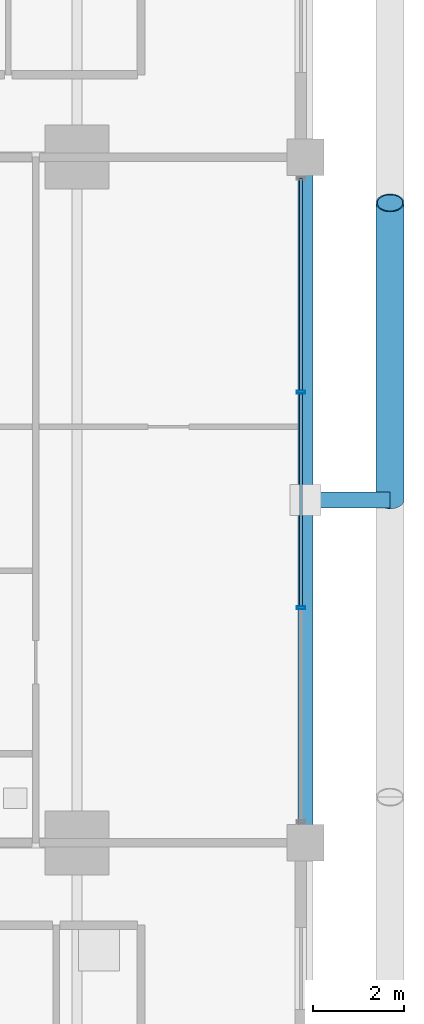
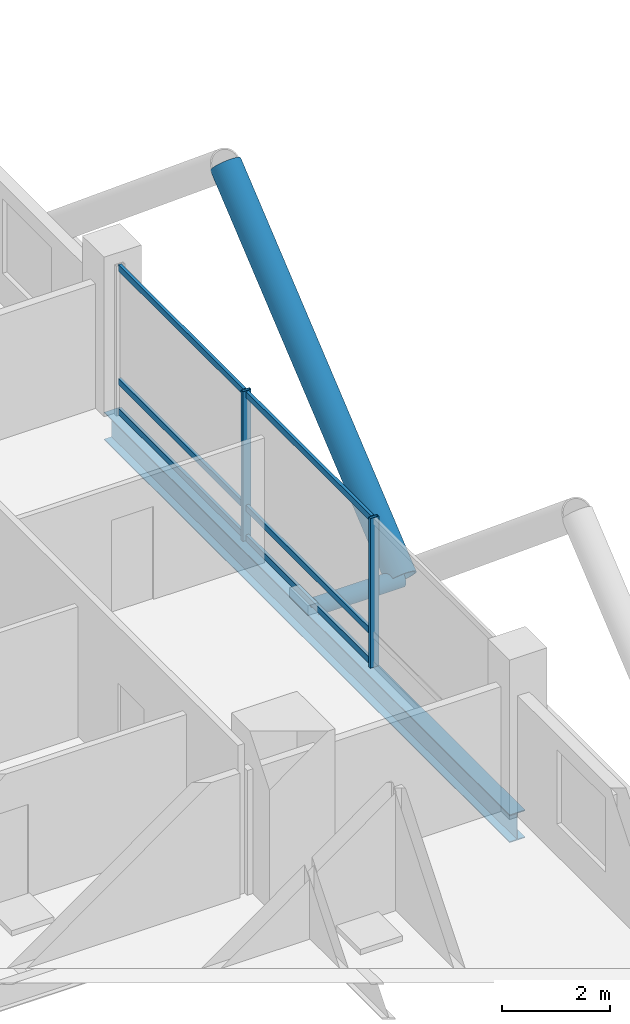
# One storey, part 12 of 28: 10 members, 1 beam, 1 element without a shape of its own.
"""IFC4 building model written with IfcOpenShell, lengths in metres."""

from ifc_helpers import new_model, si_unit, direction, frame, origin, origin_2d, place, context, subcontext, project, spatial, hollow_rectangle, hollow_circle, i_section, extrude, material, layer, layer_set, material_profile, profile_set, type_object, element, aggregate, save


model = new_model("IFC4")

# Units and contexts
model_context = context("Model", 3, precision=1e-05, world=origin(), true_north=direction((0.0, 1.0)))
body_context = subcontext(model_context, "Body", "Model", "MODEL_VIEW")
ifc_project = project(units=[si_unit("LENGTHUNIT", "METRE"), si_unit("AREAUNIT", "SQUARE_METRE"), si_unit("VOLUMEUNIT", "CUBIC_METRE"), si_unit("PLANEANGLEUNIT", "RADIAN"), si_unit("MASSUNIT", "GRAM", prefix="KILO")], contexts=[model_context])

# Site, building, storey
site_placement = place(None, origin())
site = spatial("IfcSite", under=ifc_project, at=site_placement, CompositionType="ELEMENT")
building_placement = place(site_placement, origin())
building = spatial("IfcBuilding", under=site, at=building_placement, Name="Barlavira Tower and Art Museum", CompositionType="ELEMENT")
storey_placement = place(building_placement, frame((0.0, 0.0, 39.60009765625)))
storey = spatial("IfcBuildingStorey", under=building, at=storey_placement, Name="L08", CompositionType="ELEMENT", Elevation=39.60009765625)

# Curtain wall, members
ifc_material_1 = material(Name="Low-iron coastal laminated glass", Category="glass")
ifc_layer = layer(ifc_material_1, 0.179931640625, Name="Low-iron coastal laminated glass")
ifc_layer_set = layer_set([ifc_layer], Name="Low-iron coastal laminated glass")
curtain_wall_type = type_object("IfcCurtainWallType", Name="Pale-Metal Unitised Curtain Wall Zone 1", PredefinedType="NOTDEFINED", material=ifc_layer_set)
curtain_wall_placement = place(storey_placement, origin())
curtain_wall = element("IfcCurtainWall", 1, at=curtain_wall_placement, inside=storey, type_object=curtain_wall_type, Name="L08 Curtain Wall CW1-L08-E-B3", PredefinedType="NOTDEFINED")
ifc_material_2 = material(Name="Pale anodised aluminium", Category="aluminium")
ifc_material_profile_1 = material_profile(ifc_material_2, hollow_rectangle(XDim=0.06494140625, YDim=0.179931640625, WallThickness=0.00390625, at=origin_2d()), Name="ALU-MULL 65x180x4")
ifc_profile_set_1 = profile_set([ifc_material_profile_1], Name="Pale anodised aluminium")
member_type_1 = type_object("IfcMemberType", Name="Curtain Wall Pale-Metal Mullion 65x180", PredefinedType="MULLION", material=ifc_profile_set_1)
member_1_placement = place(storey_placement, frame((21.89990234375, -2.360107421875, 0.0), z_axis=(0.0, 0.0, 1.0), x_axis=(0.0, 1.0, 0.0)))
member_1 = element("IfcMember", 2, at=member_1_placement, type_object=member_type_1, Name="CW1-L08-E-B3 Mullion 1", PredefinedType="MULLION", context=body_context, shape_type="SweptSolid", body=[
    extrude(hollow_rectangle(XDim=0.06494140625, YDim=0.179931640625, WallThickness=0.00390625, at=origin_2d()), origin(), (0.0, 0.0, 1.0), 3.3798828125),
])
member_2_placement = place(storey_placement, frame((21.89990234375, 2.360107421875, 0.0), z_axis=(0.0, 0.0, 1.0), x_axis=(0.0, 1.0, 0.0)))
member_2 = element("IfcMember", 3, at=member_2_placement, type_object=member_type_1, Name="CW1-L08-E-B3 Mullion 2", PredefinedType="MULLION", context=body_context, shape_type="SweptSolid", body=[
    extrude(hollow_rectangle(XDim=0.06494140625, YDim=0.179931640625, WallThickness=0.00390625, at=origin_2d()), origin(), (0.0, 0.0, 1.0), 3.3798828125),
])
ifc_material_profile_2 = material_profile(ifc_material_2, hollow_rectangle(XDim=0.06494140625, YDim=0.139892578125, WallThickness=0.00390625, at=origin_2d()), Name="ALU-TRAN 65x140x4")
ifc_profile_set_2 = profile_set([ifc_material_profile_2], Name="Pale anodised aluminium")
member_type_2 = type_object("IfcMemberType", Name="Curtain Wall Pale-Metal Transom 65x140", PredefinedType="USERDEFINED", material=ifc_profile_set_2)
member_3_placement = place(storey_placement, frame((21.89990234375, -2.31494140625, 0.06982421875), z_axis=(0.0, 1.0, 0.0), x_axis=(-1.0, 0.0, 0.0)))
member_3 = element("IfcMember", 4, at=member_3_placement, type_object=member_type_2, Name="CW1-L08-E-B3 Transom 1.1", ObjectType="TRANSOM", PredefinedType="USERDEFINED", context=body_context, shape_type="SweptSolid", body=[
    extrude(hollow_rectangle(XDim=0.06494140625, YDim=0.139892578125, WallThickness=0.00390625, at=origin_2d()), origin(), (0.0, 0.0, 1.0), 4.6298828125),
])
member_4_placement = place(storey_placement, frame((21.89990234375, -2.31494140625, 0.743896484375), z_axis=(0.0, 1.0, 0.0), x_axis=(-1.0, 0.0, 0.0)))
member_4 = element("IfcMember", 5, at=member_4_placement, type_object=member_type_2, Name="CW1-L08-E-B3 Transom 1.2", ObjectType="TRANSOM", PredefinedType="USERDEFINED", context=body_context, shape_type="SweptSolid", body=[
    extrude(hollow_rectangle(XDim=0.06494140625, YDim=0.139892578125, WallThickness=0.00390625, at=origin_2d()), origin(), (0.0, 0.0, 1.0), 4.6298828125),
])
member_5_placement = place(storey_placement, frame((21.89990234375, -2.31494140625, 3.309814453125), z_axis=(0.0, 1.0, 0.0), x_axis=(-1.0, 0.0, 0.0)))
member_5 = element("IfcMember", 6, at=member_5_placement, type_object=member_type_2, Name="CW1-L08-E-B3 Transom 1.3", ObjectType="TRANSOM", PredefinedType="USERDEFINED", context=body_context, shape_type="SweptSolid", body=[
    extrude(hollow_rectangle(XDim=0.06494140625, YDim=0.139892578125, WallThickness=0.00390625, at=origin_2d()), origin(), (0.0, 0.0, 1.0), 4.6298828125),
])
member_6_placement = place(storey_placement, frame((21.89990234375, 2.405029296875, 0.06982421875), z_axis=(0.0, 1.0, 0.0), x_axis=(-1.0, 0.0, 0.0)))
member_6 = element("IfcMember", 7, at=member_6_placement, type_object=member_type_2, Name="CW1-L08-E-B3 Transom 2.1", ObjectType="TRANSOM", PredefinedType="USERDEFINED", context=body_context, shape_type="SweptSolid", body=[
    extrude(hollow_rectangle(XDim=0.06494140625, YDim=0.139892578125, WallThickness=0.00390625, at=origin_2d()), origin(), (0.0, 0.0, 1.0), 4.6298828125),
])
member_7_placement = place(storey_placement, frame((21.89990234375, 2.405029296875, 0.743896484375), z_axis=(0.0, 1.0, 0.0), x_axis=(-1.0, 0.0, 0.0)))
member_7 = element("IfcMember", 8, at=member_7_placement, type_object=member_type_2, Name="CW1-L08-E-B3 Transom 2.2", ObjectType="TRANSOM", PredefinedType="USERDEFINED", context=body_context, shape_type="SweptSolid", body=[
    extrude(hollow_rectangle(XDim=0.06494140625, YDim=0.139892578125, WallThickness=0.00390625, at=origin_2d()), origin(), (0.0, 0.0, 1.0), 4.6298828125),
])
member_8_placement = place(storey_placement, frame((21.89990234375, 2.405029296875, 3.309814453125), z_axis=(0.0, 1.0, 0.0), x_axis=(-1.0, 0.0, 0.0)))
member_8 = element("IfcMember", 9, at=member_8_placement, type_object=member_type_2, Name="CW1-L08-E-B3 Transom 2.3", ObjectType="TRANSOM", PredefinedType="USERDEFINED", context=body_context, shape_type="SweptSolid", body=[
    extrude(hollow_rectangle(XDim=0.06494140625, YDim=0.139892578125, WallThickness=0.00390625, at=origin_2d()), origin(), (0.0, 0.0, 1.0), 4.6298828125),
])
aggregate(curtain_wall, [member_1, member_2, member_3, member_4, member_5, member_6, member_7, member_8])

# Members
ifc_material_3 = material(Name="Steel S355", Category="steel")
ifc_material_profile_3 = material_profile(ifc_material_3, hollow_circle(Radius=0.304931640625, WallThickness=0.028076171875, at=origin_2d()), Name="CHS 610.0x28.0")
ifc_profile_set_3 = profile_set([ifc_material_profile_3], Name="Steel S355")
member_type_3 = type_object("IfcMemberType", Name="Pale-Metal Exoskeleton Diagrid Tube CHS 610x28 Steel S355", PredefinedType="BRACE", material=ifc_profile_set_3)
member_9_placement = place(storey_placement, frame((23.85009765625, 0.0, -0.1201171875), z_axis=(0.0, 0.769196053329, 0.639012857104), x_axis=(-1.0, 0.0, 0.0)))
element("IfcMember", 10, at=member_9_placement, inside=storey, type_object=member_type_3, Name="L08 Exoskeleton Diagrid Tube E", PredefinedType="BRACE", context=body_context, shape_type="SweptSolid", body=[
    extrude(hollow_circle(Radius=0.304931640625, WallThickness=0.028076171875, at=origin_2d()), origin(), (0.0, 0.0, 1.0), 8.450439453125),
])
ifc_material_profile_4 = material_profile(ifc_material_3, hollow_circle(Radius=0.177734375, WallThickness=0.01611328125, at=origin_2d()), Name="CHS 355.6x16.0")
ifc_profile_set_4 = profile_set([ifc_material_profile_4], Name="Steel S355")
member_type_4 = type_object("IfcMemberType", Name="Pale-Metal Exoskeleton Tie Strut CHS 356x16 Steel S355", PredefinedType="STRUT", material=ifc_profile_set_4)
member_10_placement = place(storey_placement, frame((23.85009765625, 0.0, -0.1201171875), z_axis=(-1.0, 0.0, 0.0), x_axis=(0.0, -1.0, 0.0)))
element("IfcMember", 11, at=member_10_placement, inside=storey, type_object=member_type_4, Name="L08 Exoskeleton Tie Strut E2", PredefinedType="STRUT", context=body_context, shape_type="SweptSolid", body=[
    extrude(hollow_circle(Radius=0.177734375, WallThickness=0.01611328125, at=origin_2d()), origin(), (0.0, 0.0, 1.0), 1.85009765625),
])

# Beam
ifc_material_profile_5 = material_profile(ifc_material_3, i_section(OverallWidth=0.327880859375, OverallDepth=0.62890625, WebThickness=0.013916015625, FlangeThickness=0.021484375, at=origin_2d()), Name="W610x174.0")
ifc_profile_set_5 = profile_set([ifc_material_profile_5], Name="Steel S355")
beam_type = type_object("IfcBeamType", Name="Perimeter Spandrel Edge Beam W610x174 Steel S355", PredefinedType="SPANDREL", material=ifc_profile_set_5)
beam_placement = place(storey_placement, frame((22.0, -7.5, -0.53466796875), z_axis=(0.0, 1.0, 0.0), x_axis=(-1.0, 0.0, 0.0)))
element("IfcBeam", 12, at=beam_placement, inside=storey, type_object=beam_type, Name="L08 Spandrel 6", PredefinedType="SPANDREL", context=body_context, shape_type="SweptSolid", body=[
    extrude(i_section(OverallWidth=0.327880859375, OverallDepth=0.62890625, WebThickness=0.013916015625, FlangeThickness=0.021484375, at=origin_2d()), origin(), (0.0, 0.0, 1.0), 15.0),
])

save(model, "model.ifc")
